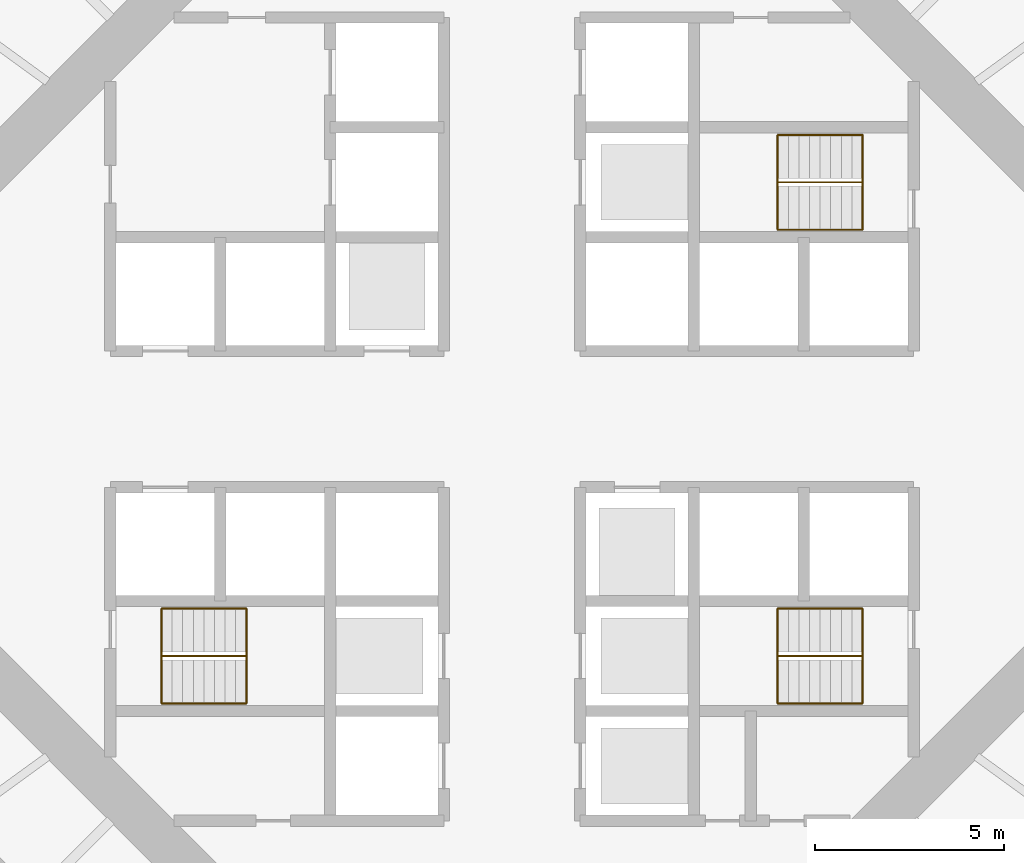
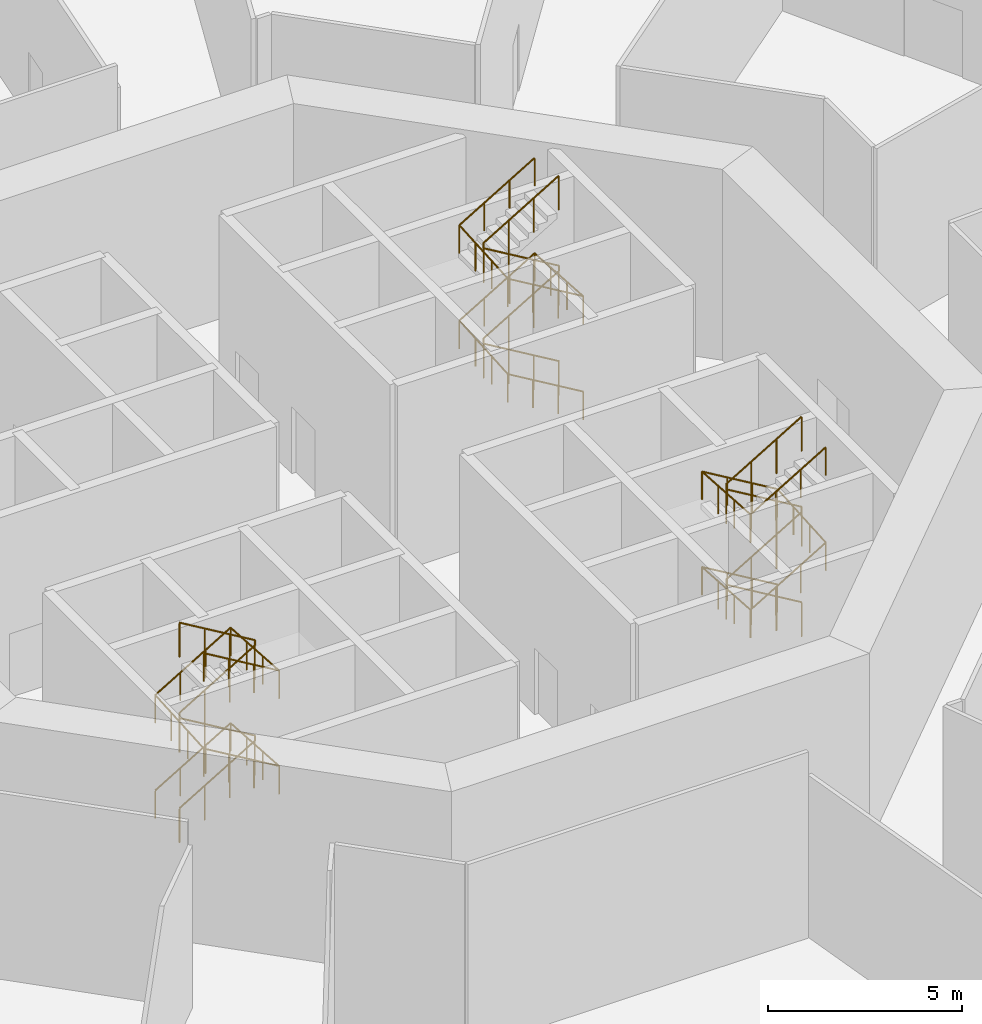
# One storey, part 13 of 14: 6 railings.
"""IFC4 building model written with IfcOpenShell, lengths in metres."""

from ifc_helpers import new_model, si_unit, direction, frame, origin, origin_2d, place, context, subcontext, project, spatial, circle, extrude, material, type_object, element, save


model = new_model("IFC4")

# Units and contexts
model_context = context("Model", 3, precision=1e-05, world=origin(), true_north=direction((0.0, 1.0)))
body_context = subcontext(model_context, "Body", "Model", "MODEL_VIEW")
ifc_project = project(units=[si_unit("LENGTHUNIT", "METRE"), si_unit("AREAUNIT", "SQUARE_METRE"), si_unit("VOLUMEUNIT", "CUBIC_METRE"), si_unit("PLANEANGLEUNIT", "RADIAN"), si_unit("MASSUNIT", "GRAM", prefix="KILO")], contexts=[model_context])

# Site, building, storey
site_placement = place(None, origin())
site = spatial("IfcSite", under=ifc_project, at=site_placement, CompositionType="ELEMENT")
building_placement = place(site_placement, origin())
building = spatial("IfcBuilding", under=site, at=building_placement, Name="Entoto Ring Tower", CompositionType="ELEMENT")
storey_placement = place(building_placement, frame((0.0, 0.0, 132.0)))
storey = spatial("IfcBuildingStorey", under=building, at=storey_placement, Name="L30", CompositionType="ELEMENT", Elevation=132.0)

# Railings
ifc_material_1 = material(Name="Steel S275", Category="steel")
railing_type_1 = type_object("IfcRailingType", Name="Stair guard 1100 mm steel", PredefinedType="GUARDRAIL", material=ifc_material_1)
railing_1_placement = place(storey_placement, frame((99.25, 86.25, 0.166748046875)))
element("IfcRailing", 1, at=railing_1_placement, inside=storey, type_object=railing_type_1, Name="Guard ST1", PredefinedType="GUARDRAIL", context=body_context, shape_type="SweptSolid", body=[
    extrude(circle(Radius=0.02392578125, at=origin_2d()), frame((0.0, 0.0, 1.076171875), z_axis=(-0.859305625298, 0.0, 0.511462454469), x_axis=(0.0, -1.0, 0.0)), (0.0, 0.0, 1.0), 2.606689453125),
    extrude(circle(Radius=0.02392578125, at=origin_2d()), frame((-2.239990234375, 0.0, 2.4091796875), z_axis=(0.0, 0.0, 1.0), x_axis=(1.0, 0.0, 0.0)), (0.0, 0.0, 1.0), 0.166748046875),
    extrude(circle(Radius=0.02392578125, at=origin_2d()), frame((-2.239990234375, 0.0, 2.576171875), z_axis=(0.859305625298, 0.0, 0.511462454469), x_axis=(0.0, 1.0, 0.0)), (0.0, 0.0, 1.0), 2.606689453125),
    extrude(circle(Radius=0.02392578125, at=origin_2d()), frame((0.0, 0.0, 3.9091796875), z_axis=(0.0, 0.0, 1.0), x_axis=(1.0, 0.0, 0.0)), (0.0, 0.0, 1.0), 0.166748046875),
    extrude(circle(Radius=0.02392578125, at=origin_2d()), frame((0.0, 0.0, 4.076171875), z_axis=(-0.859305625298, 0.0, 0.511462454469), x_axis=(0.0, -1.0, 0.0)), (0.0, 0.0, 1.0), 2.606689453125),
    extrude(circle(Radius=0.02392578125, at=origin_2d()), frame((-2.239990234375, 0.0, 5.4091796875), z_axis=(0.0, 0.0, 1.0), x_axis=(1.0, 0.0, 0.0)), (0.0, 0.0, 1.0), 0.166748046875),
    extrude(circle(Radius=0.02392578125, at=origin_2d()), frame((-2.239990234375, 0.0, 5.576171875), z_axis=(0.859305625298, 0.0, 0.511462454469), x_axis=(0.0, 1.0, 0.0)), (0.0, 0.0, 1.0), 2.606689453125),
    extrude(circle(Radius=0.02099609375, at=origin_2d()), origin(), (0.0, 0.0, 1.0), 1.052001953125),
    extrude(circle(Radius=0.02099609375, at=origin_2d()), frame((-0.74658203125, 0.0, 0.4443359375)), (0.0, 0.0, 1.0), 1.052001953125),
    extrude(circle(Radius=0.02099609375, at=origin_2d()), frame((-1.493408203125, 0.0, 0.888916015625)), (0.0, 0.0, 1.0), 1.052001953125),
    extrude(circle(Radius=0.02099609375, at=origin_2d()), frame((-2.239990234375, 0.0, 1.333251953125)), (0.0, 0.0, 1.0), 1.052001953125),
    extrude(circle(Radius=0.02099609375, at=origin_2d()), frame((-2.239990234375, 0.0, 1.5)), (0.0, 0.0, 1.0), 1.052001953125),
    extrude(circle(Radius=0.02099609375, at=origin_2d()), frame((-1.493408203125, 0.0, 1.9443359375)), (0.0, 0.0, 1.0), 1.052001953125),
    extrude(circle(Radius=0.02099609375, at=origin_2d()), frame((-0.74658203125, 0.0, 2.388916015625)), (0.0, 0.0, 1.0), 1.052001953125),
    extrude(circle(Radius=0.02099609375, at=origin_2d()), frame((0.0, 0.0, 2.833251953125)), (0.0, 0.0, 1.0), 1.052001953125),
    extrude(circle(Radius=0.02099609375, at=origin_2d()), frame((0.0, 0.0, 3.0)), (0.0, 0.0, 1.0), 1.052001953125),
    extrude(circle(Radius=0.02099609375, at=origin_2d()), frame((-0.74658203125, 0.0, 3.4443359375)), (0.0, 0.0, 1.0), 1.052001953125),
    extrude(circle(Radius=0.02099609375, at=origin_2d()), frame((-1.493408203125, 0.0, 3.888916015625)), (0.0, 0.0, 1.0), 1.052001953125),
    extrude(circle(Radius=0.02099609375, at=origin_2d()), frame((-2.239990234375, 0.0, 4.333251953125)), (0.0, 0.0, 1.0), 1.052001953125),
    extrude(circle(Radius=0.02099609375, at=origin_2d()), frame((-2.239990234375, 0.0, 4.5)), (0.0, 0.0, 1.0), 1.052001953125),
    extrude(circle(Radius=0.02099609375, at=origin_2d()), frame((-1.493408203125, 0.0, 4.9443359375)), (0.0, 0.0, 1.0), 1.052001953125),
    extrude(circle(Radius=0.02099609375, at=origin_2d()), frame((-0.74658203125, 0.0, 5.388916015625)), (0.0, 0.0, 1.0), 1.052001953125),
    extrude(circle(Radius=0.02099609375, at=origin_2d()), frame((0.0, 0.0, 5.833251953125)), (0.0, 0.0, 1.0), 1.052001953125),
])
railing_2_placement = place(storey_placement, frame((80.75, 73.75, 0.166748046875)))
element("IfcRailing", 2, at=railing_2_placement, inside=storey, type_object=railing_type_1, Name="Guard ST2", PredefinedType="GUARDRAIL", context=body_context, shape_type="SweptSolid", body=[
    extrude(circle(Radius=0.02392578125, at=origin_2d()), frame((0.0, 0.0, 1.076171875), z_axis=(0.859305625298, 0.0, 0.511462454469), x_axis=(0.0, 1.0, 0.0)), (0.0, 0.0, 1.0), 2.606689453125),
    extrude(circle(Radius=0.02392578125, at=origin_2d()), frame((2.239990234375, 0.0, 2.4091796875), z_axis=(0.0, 0.0, 1.0), x_axis=(1.0, 0.0, 0.0)), (0.0, 0.0, 1.0), 0.166748046875),
    extrude(circle(Radius=0.02392578125, at=origin_2d()), frame((2.239990234375, 0.0, 2.576171875), z_axis=(-0.859305625298, 0.0, 0.511462454469), x_axis=(0.0, -1.0, 0.0)), (0.0, 0.0, 1.0), 2.606689453125),
    extrude(circle(Radius=0.02392578125, at=origin_2d()), frame((0.0, 0.0, 3.9091796875), z_axis=(0.0, 0.0, 1.0), x_axis=(1.0, 0.0, 0.0)), (0.0, 0.0, 1.0), 0.166748046875),
    extrude(circle(Radius=0.02392578125, at=origin_2d()), frame((0.0, 0.0, 4.076171875), z_axis=(0.859305625298, 0.0, 0.511462454469), x_axis=(0.0, 1.0, 0.0)), (0.0, 0.0, 1.0), 2.606689453125),
    extrude(circle(Radius=0.02392578125, at=origin_2d()), frame((2.239990234375, 0.0, 5.4091796875), z_axis=(0.0, 0.0, 1.0), x_axis=(1.0, 0.0, 0.0)), (0.0, 0.0, 1.0), 0.166748046875),
    extrude(circle(Radius=0.02392578125, at=origin_2d()), frame((2.239990234375, 0.0, 5.576171875), z_axis=(-0.859305625298, 0.0, 0.511462454469), x_axis=(0.0, -1.0, 0.0)), (0.0, 0.0, 1.0), 2.606689453125),
    extrude(circle(Radius=0.02099609375, at=origin_2d()), origin(), (0.0, 0.0, 1.0), 1.052001953125),
    extrude(circle(Radius=0.02099609375, at=origin_2d()), frame((0.74658203125, 0.0, 0.4443359375)), (0.0, 0.0, 1.0), 1.052001953125),
    extrude(circle(Radius=0.02099609375, at=origin_2d()), frame((1.493408203125, 0.0, 0.888916015625)), (0.0, 0.0, 1.0), 1.052001953125),
    extrude(circle(Radius=0.02099609375, at=origin_2d()), frame((2.239990234375, 0.0, 1.333251953125)), (0.0, 0.0, 1.0), 1.052001953125),
    extrude(circle(Radius=0.02099609375, at=origin_2d()), frame((2.239990234375, 0.0, 1.5)), (0.0, 0.0, 1.0), 1.052001953125),
    extrude(circle(Radius=0.02099609375, at=origin_2d()), frame((1.493408203125, 0.0, 1.9443359375)), (0.0, 0.0, 1.0), 1.052001953125),
    extrude(circle(Radius=0.02099609375, at=origin_2d()), frame((0.74658203125, 0.0, 2.388916015625)), (0.0, 0.0, 1.0), 1.052001953125),
    extrude(circle(Radius=0.02099609375, at=origin_2d()), frame((0.0, 0.0, 2.833251953125)), (0.0, 0.0, 1.0), 1.052001953125),
    extrude(circle(Radius=0.02099609375, at=origin_2d()), frame((0.0, 0.0, 3.0)), (0.0, 0.0, 1.0), 1.052001953125),
    extrude(circle(Radius=0.02099609375, at=origin_2d()), frame((0.74658203125, 0.0, 3.4443359375)), (0.0, 0.0, 1.0), 1.052001953125),
    extrude(circle(Radius=0.02099609375, at=origin_2d()), frame((1.493408203125, 0.0, 3.888916015625)), (0.0, 0.0, 1.0), 1.052001953125),
    extrude(circle(Radius=0.02099609375, at=origin_2d()), frame((2.239990234375, 0.0, 4.333251953125)), (0.0, 0.0, 1.0), 1.052001953125),
    extrude(circle(Radius=0.02099609375, at=origin_2d()), frame((2.239990234375, 0.0, 4.5)), (0.0, 0.0, 1.0), 1.052001953125),
    extrude(circle(Radius=0.02099609375, at=origin_2d()), frame((1.493408203125, 0.0, 4.9443359375)), (0.0, 0.0, 1.0), 1.052001953125),
    extrude(circle(Radius=0.02099609375, at=origin_2d()), frame((0.74658203125, 0.0, 5.388916015625)), (0.0, 0.0, 1.0), 1.052001953125),
    extrude(circle(Radius=0.02099609375, at=origin_2d()), frame((0.0, 0.0, 5.833251953125)), (0.0, 0.0, 1.0), 1.052001953125),
])
railing_3_placement = place(storey_placement, frame((99.25, 73.75, 0.166748046875)))
element("IfcRailing", 3, at=railing_3_placement, inside=storey, type_object=railing_type_1, Name="Guard ST3", PredefinedType="GUARDRAIL", context=body_context, shape_type="SweptSolid", body=[
    extrude(circle(Radius=0.02392578125, at=origin_2d()), frame((0.0, 0.0, 1.076171875), z_axis=(-0.859305625298, 0.0, 0.511462454469), x_axis=(0.0, -1.0, 0.0)), (0.0, 0.0, 1.0), 2.606689453125),
    extrude(circle(Radius=0.02392578125, at=origin_2d()), frame((-2.239990234375, 0.0, 2.4091796875), z_axis=(0.0, 0.0, 1.0), x_axis=(1.0, 0.0, 0.0)), (0.0, 0.0, 1.0), 0.166748046875),
    extrude(circle(Radius=0.02392578125, at=origin_2d()), frame((-2.239990234375, 0.0, 2.576171875), z_axis=(0.859305625298, 0.0, 0.511462454469), x_axis=(0.0, 1.0, 0.0)), (0.0, 0.0, 1.0), 2.606689453125),
    extrude(circle(Radius=0.02392578125, at=origin_2d()), frame((0.0, 0.0, 3.9091796875), z_axis=(0.0, 0.0, 1.0), x_axis=(1.0, 0.0, 0.0)), (0.0, 0.0, 1.0), 0.166748046875),
    extrude(circle(Radius=0.02392578125, at=origin_2d()), frame((0.0, 0.0, 4.076171875), z_axis=(-0.859305625298, 0.0, 0.511462454469), x_axis=(0.0, -1.0, 0.0)), (0.0, 0.0, 1.0), 2.606689453125),
    extrude(circle(Radius=0.02392578125, at=origin_2d()), frame((-2.239990234375, 0.0, 5.4091796875), z_axis=(0.0, 0.0, 1.0), x_axis=(1.0, 0.0, 0.0)), (0.0, 0.0, 1.0), 0.166748046875),
    extrude(circle(Radius=0.02392578125, at=origin_2d()), frame((-2.239990234375, 0.0, 5.576171875), z_axis=(0.859305625298, 0.0, 0.511462454469), x_axis=(0.0, 1.0, 0.0)), (0.0, 0.0, 1.0), 2.606689453125),
    extrude(circle(Radius=0.02099609375, at=origin_2d()), origin(), (0.0, 0.0, 1.0), 1.052001953125),
    extrude(circle(Radius=0.02099609375, at=origin_2d()), frame((-0.74658203125, 0.0, 0.4443359375)), (0.0, 0.0, 1.0), 1.052001953125),
    extrude(circle(Radius=0.02099609375, at=origin_2d()), frame((-1.493408203125, 0.0, 0.888916015625)), (0.0, 0.0, 1.0), 1.052001953125),
    extrude(circle(Radius=0.02099609375, at=origin_2d()), frame((-2.239990234375, 0.0, 1.333251953125)), (0.0, 0.0, 1.0), 1.052001953125),
    extrude(circle(Radius=0.02099609375, at=origin_2d()), frame((-2.239990234375, 0.0, 1.5)), (0.0, 0.0, 1.0), 1.052001953125),
    extrude(circle(Radius=0.02099609375, at=origin_2d()), frame((-1.493408203125, 0.0, 1.9443359375)), (0.0, 0.0, 1.0), 1.052001953125),
    extrude(circle(Radius=0.02099609375, at=origin_2d()), frame((-0.74658203125, 0.0, 2.388916015625)), (0.0, 0.0, 1.0), 1.052001953125),
    extrude(circle(Radius=0.02099609375, at=origin_2d()), frame((0.0, 0.0, 2.833251953125)), (0.0, 0.0, 1.0), 1.052001953125),
    extrude(circle(Radius=0.02099609375, at=origin_2d()), frame((0.0, 0.0, 3.0)), (0.0, 0.0, 1.0), 1.052001953125),
    extrude(circle(Radius=0.02099609375, at=origin_2d()), frame((-0.74658203125, 0.0, 3.4443359375)), (0.0, 0.0, 1.0), 1.052001953125),
    extrude(circle(Radius=0.02099609375, at=origin_2d()), frame((-1.493408203125, 0.0, 3.888916015625)), (0.0, 0.0, 1.0), 1.052001953125),
    extrude(circle(Radius=0.02099609375, at=origin_2d()), frame((-2.239990234375, 0.0, 4.333251953125)), (0.0, 0.0, 1.0), 1.052001953125),
    extrude(circle(Radius=0.02099609375, at=origin_2d()), frame((-2.239990234375, 0.0, 4.5)), (0.0, 0.0, 1.0), 1.052001953125),
    extrude(circle(Radius=0.02099609375, at=origin_2d()), frame((-1.493408203125, 0.0, 4.9443359375)), (0.0, 0.0, 1.0), 1.052001953125),
    extrude(circle(Radius=0.02099609375, at=origin_2d()), frame((-0.74658203125, 0.0, 5.388916015625)), (0.0, 0.0, 1.0), 1.052001953125),
    extrude(circle(Radius=0.02099609375, at=origin_2d()), frame((0.0, 0.0, 5.833251953125)), (0.0, 0.0, 1.0), 1.052001953125),
])
ifc_material_2 = material(Name="Steel S275", Category="steel")
railing_type_2 = type_object("IfcRailingType", Name="Stair handrail 900 mm steel", PredefinedType="HANDRAIL", material=ifc_material_2)
railing_4_placement = place(storey_placement, frame((99.25, 85.0, 0.166748046875)))
element("IfcRailing", 4, at=railing_4_placement, inside=storey, type_object=railing_type_2, Name="Handrail ST1", PredefinedType="HANDRAIL", context=body_context, shape_type="SweptSolid", body=[
    extrude(circle(Radius=0.02392578125, at=origin_2d()), frame((0.0, 0.0, 0.8759765625), z_axis=(-0.859305625298, 0.0, 0.511462454469), x_axis=(0.0, -1.0, 0.0)), (0.0, 0.0, 1.0), 2.606689453125),
    extrude(circle(Radius=0.02392578125, at=origin_2d()), frame((-2.239990234375, 0.0, 2.208984375), z_axis=(0.0, 0.997783001586, 0.066551346688), x_axis=(-1.0, 0.0, 0.0)), (0.0, 0.0, 1.0), 2.505615234375),
    extrude(circle(Radius=0.02392578125, at=origin_2d()), frame((-2.239990234375, 2.5, 2.3759765625), z_axis=(0.859305625298, 0.0, 0.511462454469), x_axis=(0.0, 1.0, 0.0)), (0.0, 0.0, 1.0), 2.606689453125),
    extrude(circle(Radius=0.02392578125, at=origin_2d()), frame((0.0, 2.5, 3.708984375), z_axis=(0.0, -0.997783001586, 0.066551346688), x_axis=(1.0, 0.0, 0.0)), (0.0, 0.0, 1.0), 2.505615234375),
    extrude(circle(Radius=0.02392578125, at=origin_2d()), frame((0.0, 0.0, 3.8759765625), z_axis=(-0.859305625298, 0.0, 0.511462454469), x_axis=(0.0, -1.0, 0.0)), (0.0, 0.0, 1.0), 2.606689453125),
    extrude(circle(Radius=0.02392578125, at=origin_2d()), frame((-2.239990234375, 0.0, 5.208984375), z_axis=(0.0, 0.997783001586, 0.066551346688), x_axis=(-1.0, 0.0, 0.0)), (0.0, 0.0, 1.0), 2.505615234375),
    extrude(circle(Radius=0.02392578125, at=origin_2d()), frame((-2.239990234375, 2.5, 5.3759765625), z_axis=(0.859305625298, 0.0, 0.511462454469), x_axis=(0.0, 1.0, 0.0)), (0.0, 0.0, 1.0), 2.606689453125),
    extrude(circle(Radius=0.02099609375, at=origin_2d()), origin(), (0.0, 0.0, 1.0), 0.851806640625),
    extrude(circle(Radius=0.02099609375, at=origin_2d()), frame((-0.74658203125, 0.0, 0.4443359375)), (0.0, 0.0, 1.0), 0.851806640625),
    extrude(circle(Radius=0.02099609375, at=origin_2d()), frame((-1.493408203125, 0.0, 0.888916015625)), (0.0, 0.0, 1.0), 0.851806640625),
    extrude(circle(Radius=0.02099609375, at=origin_2d()), frame((-2.239990234375, 0.0, 1.333251953125)), (0.0, 0.0, 1.0), 0.851806640625),
    extrude(circle(Radius=0.02099609375, at=origin_2d()), frame((-2.239990234375, 0.833251953125, 1.388916015625)), (0.0, 0.0, 1.0), 0.851806640625),
    extrude(circle(Radius=0.02099609375, at=origin_2d()), frame((-2.239990234375, 1.666748046875, 1.4443359375)), (0.0, 0.0, 1.0), 0.851806640625),
    extrude(circle(Radius=0.02099609375, at=origin_2d()), frame((-2.239990234375, 2.5, 1.5)), (0.0, 0.0, 1.0), 0.851806640625),
    extrude(circle(Radius=0.02099609375, at=origin_2d()), frame((-1.493408203125, 2.5, 1.9443359375)), (0.0, 0.0, 1.0), 0.851806640625),
    extrude(circle(Radius=0.02099609375, at=origin_2d()), frame((-0.74658203125, 2.5, 2.388916015625)), (0.0, 0.0, 1.0), 0.851806640625),
    extrude(circle(Radius=0.02099609375, at=origin_2d()), frame((0.0, 2.5, 2.833251953125)), (0.0, 0.0, 1.0), 0.851806640625),
    extrude(circle(Radius=0.02099609375, at=origin_2d()), frame((0.0, 1.666748046875, 2.888916015625)), (0.0, 0.0, 1.0), 0.851806640625),
    extrude(circle(Radius=0.02099609375, at=origin_2d()), frame((0.0, 0.833251953125, 2.9443359375)), (0.0, 0.0, 1.0), 0.851806640625),
    extrude(circle(Radius=0.02099609375, at=origin_2d()), frame((0.0, 0.0, 3.0)), (0.0, 0.0, 1.0), 0.851806640625),
    extrude(circle(Radius=0.02099609375, at=origin_2d()), frame((-0.74658203125, 0.0, 3.4443359375)), (0.0, 0.0, 1.0), 0.851806640625),
    extrude(circle(Radius=0.02099609375, at=origin_2d()), frame((-1.493408203125, 0.0, 3.888916015625)), (0.0, 0.0, 1.0), 0.851806640625),
    extrude(circle(Radius=0.02099609375, at=origin_2d()), frame((-2.239990234375, 0.0, 4.333251953125)), (0.0, 0.0, 1.0), 0.851806640625),
    extrude(circle(Radius=0.02099609375, at=origin_2d()), frame((-2.239990234375, 0.833251953125, 4.388916015625)), (0.0, 0.0, 1.0), 0.851806640625),
    extrude(circle(Radius=0.02099609375, at=origin_2d()), frame((-2.239990234375, 1.666748046875, 4.4443359375)), (0.0, 0.0, 1.0), 0.851806640625),
    extrude(circle(Radius=0.02099609375, at=origin_2d()), frame((-2.239990234375, 2.5, 4.5)), (0.0, 0.0, 1.0), 0.851806640625),
    extrude(circle(Radius=0.02099609375, at=origin_2d()), frame((-1.493408203125, 2.5, 4.9443359375)), (0.0, 0.0, 1.0), 0.851806640625),
    extrude(circle(Radius=0.02099609375, at=origin_2d()), frame((-0.74658203125, 2.5, 5.388916015625)), (0.0, 0.0, 1.0), 0.851806640625),
    extrude(circle(Radius=0.02099609375, at=origin_2d()), frame((0.0, 2.5, 5.833251953125)), (0.0, 0.0, 1.0), 0.851806640625),
])
railing_5_placement = place(storey_placement, frame((80.75, 75.0, 0.166748046875)))
element("IfcRailing", 5, at=railing_5_placement, inside=storey, type_object=railing_type_2, Name="Handrail ST2", PredefinedType="HANDRAIL", context=body_context, shape_type="SweptSolid", body=[
    extrude(circle(Radius=0.02392578125, at=origin_2d()), frame((0.0, 0.0, 0.8759765625), z_axis=(0.859305625298, 0.0, 0.511462454469), x_axis=(0.0, 1.0, 0.0)), (0.0, 0.0, 1.0), 2.606689453125),
    extrude(circle(Radius=0.02392578125, at=origin_2d()), frame((2.239990234375, 0.0, 2.208984375), z_axis=(0.0, -0.997783001586, 0.066551346688), x_axis=(1.0, 0.0, 0.0)), (0.0, 0.0, 1.0), 2.505615234375),
    extrude(circle(Radius=0.02392578125, at=origin_2d()), frame((2.239990234375, -2.5, 2.3759765625), z_axis=(-0.859305625298, 0.0, 0.511462454469), x_axis=(0.0, -1.0, 0.0)), (0.0, 0.0, 1.0), 2.606689453125),
    extrude(circle(Radius=0.02392578125, at=origin_2d()), frame((0.0, -2.5, 3.708984375), z_axis=(0.0, 0.997783001586, 0.066551346688), x_axis=(-1.0, 0.0, 0.0)), (0.0, 0.0, 1.0), 2.505615234375),
    extrude(circle(Radius=0.02392578125, at=origin_2d()), frame((0.0, 0.0, 3.8759765625), z_axis=(0.859305625298, 0.0, 0.511462454469), x_axis=(0.0, 1.0, 0.0)), (0.0, 0.0, 1.0), 2.606689453125),
    extrude(circle(Radius=0.02392578125, at=origin_2d()), frame((2.239990234375, 0.0, 5.208984375), z_axis=(0.0, -0.997783001586, 0.066551346688), x_axis=(1.0, 0.0, 0.0)), (0.0, 0.0, 1.0), 2.505615234375),
    extrude(circle(Radius=0.02392578125, at=origin_2d()), frame((2.239990234375, -2.5, 5.3759765625), z_axis=(-0.859305625298, 0.0, 0.511462454469), x_axis=(0.0, -1.0, 0.0)), (0.0, 0.0, 1.0), 2.606689453125),
    extrude(circle(Radius=0.02099609375, at=origin_2d()), origin(), (0.0, 0.0, 1.0), 0.851806640625),
    extrude(circle(Radius=0.02099609375, at=origin_2d()), frame((0.74658203125, 0.0, 0.4443359375)), (0.0, 0.0, 1.0), 0.851806640625),
    extrude(circle(Radius=0.02099609375, at=origin_2d()), frame((1.493408203125, 0.0, 0.888916015625)), (0.0, 0.0, 1.0), 0.851806640625),
    extrude(circle(Radius=0.02099609375, at=origin_2d()), frame((2.239990234375, 0.0, 1.333251953125)), (0.0, 0.0, 1.0), 0.851806640625),
    extrude(circle(Radius=0.02099609375, at=origin_2d()), frame((2.239990234375, -0.833251953125, 1.388916015625)), (0.0, 0.0, 1.0), 0.851806640625),
    extrude(circle(Radius=0.02099609375, at=origin_2d()), frame((2.239990234375, -1.666748046875, 1.4443359375)), (0.0, 0.0, 1.0), 0.851806640625),
    extrude(circle(Radius=0.02099609375, at=origin_2d()), frame((2.239990234375, -2.5, 1.5)), (0.0, 0.0, 1.0), 0.851806640625),
    extrude(circle(Radius=0.02099609375, at=origin_2d()), frame((1.493408203125, -2.5, 1.9443359375)), (0.0, 0.0, 1.0), 0.851806640625),
    extrude(circle(Radius=0.02099609375, at=origin_2d()), frame((0.74658203125, -2.5, 2.388916015625)), (0.0, 0.0, 1.0), 0.851806640625),
    extrude(circle(Radius=0.02099609375, at=origin_2d()), frame((0.0, -2.5, 2.833251953125)), (0.0, 0.0, 1.0), 0.851806640625),
    extrude(circle(Radius=0.02099609375, at=origin_2d()), frame((0.0, -1.666748046875, 2.888916015625)), (0.0, 0.0, 1.0), 0.851806640625),
    extrude(circle(Radius=0.02099609375, at=origin_2d()), frame((0.0, -0.833251953125, 2.9443359375)), (0.0, 0.0, 1.0), 0.851806640625),
    extrude(circle(Radius=0.02099609375, at=origin_2d()), frame((0.0, 0.0, 3.0)), (0.0, 0.0, 1.0), 0.851806640625),
    extrude(circle(Radius=0.02099609375, at=origin_2d()), frame((0.74658203125, 0.0, 3.4443359375)), (0.0, 0.0, 1.0), 0.851806640625),
    extrude(circle(Radius=0.02099609375, at=origin_2d()), frame((1.493408203125, 0.0, 3.888916015625)), (0.0, 0.0, 1.0), 0.851806640625),
    extrude(circle(Radius=0.02099609375, at=origin_2d()), frame((2.239990234375, 0.0, 4.333251953125)), (0.0, 0.0, 1.0), 0.851806640625),
    extrude(circle(Radius=0.02099609375, at=origin_2d()), frame((2.239990234375, -0.833251953125, 4.388916015625)), (0.0, 0.0, 1.0), 0.851806640625),
    extrude(circle(Radius=0.02099609375, at=origin_2d()), frame((2.239990234375, -1.666748046875, 4.4443359375)), (0.0, 0.0, 1.0), 0.851806640625),
    extrude(circle(Radius=0.02099609375, at=origin_2d()), frame((2.239990234375, -2.5, 4.5)), (0.0, 0.0, 1.0), 0.851806640625),
    extrude(circle(Radius=0.02099609375, at=origin_2d()), frame((1.493408203125, -2.5, 4.9443359375)), (0.0, 0.0, 1.0), 0.851806640625),
    extrude(circle(Radius=0.02099609375, at=origin_2d()), frame((0.74658203125, -2.5, 5.388916015625)), (0.0, 0.0, 1.0), 0.851806640625),
    extrude(circle(Radius=0.02099609375, at=origin_2d()), frame((0.0, -2.5, 5.833251953125)), (0.0, 0.0, 1.0), 0.851806640625),
])
railing_6_placement = place(storey_placement, frame((99.25, 75.0, 0.166748046875)))
element("IfcRailing", 6, at=railing_6_placement, inside=storey, type_object=railing_type_2, Name="Handrail ST3", PredefinedType="HANDRAIL", context=body_context, shape_type="SweptSolid", body=[
    extrude(circle(Radius=0.02392578125, at=origin_2d()), frame((0.0, 0.0, 0.8759765625), z_axis=(-0.859305625298, 0.0, 0.511462454469), x_axis=(0.0, -1.0, 0.0)), (0.0, 0.0, 1.0), 2.606689453125),
    extrude(circle(Radius=0.02392578125, at=origin_2d()), frame((-2.239990234375, 0.0, 2.208984375), z_axis=(0.0, -0.997783001586, 0.066551346688), x_axis=(1.0, 0.0, 0.0)), (0.0, 0.0, 1.0), 2.505615234375),
    extrude(circle(Radius=0.02392578125, at=origin_2d()), frame((-2.239990234375, -2.5, 2.3759765625), z_axis=(0.859305625298, 0.0, 0.511462454469), x_axis=(0.0, 1.0, 0.0)), (0.0, 0.0, 1.0), 2.606689453125),
    extrude(circle(Radius=0.02392578125, at=origin_2d()), frame((0.0, -2.5, 3.708984375), z_axis=(0.0, 0.997783001586, 0.066551346688), x_axis=(-1.0, 0.0, 0.0)), (0.0, 0.0, 1.0), 2.505615234375),
    extrude(circle(Radius=0.02392578125, at=origin_2d()), frame((0.0, 0.0, 3.8759765625), z_axis=(-0.859305625298, 0.0, 0.511462454469), x_axis=(0.0, -1.0, 0.0)), (0.0, 0.0, 1.0), 2.606689453125),
    extrude(circle(Radius=0.02392578125, at=origin_2d()), frame((-2.239990234375, 0.0, 5.208984375), z_axis=(0.0, -0.997783001586, 0.066551346688), x_axis=(1.0, 0.0, 0.0)), (0.0, 0.0, 1.0), 2.505615234375),
    extrude(circle(Radius=0.02392578125, at=origin_2d()), frame((-2.239990234375, -2.5, 5.3759765625), z_axis=(0.859305625298, 0.0, 0.511462454469), x_axis=(0.0, 1.0, 0.0)), (0.0, 0.0, 1.0), 2.606689453125),
    extrude(circle(Radius=0.02099609375, at=origin_2d()), origin(), (0.0, 0.0, 1.0), 0.851806640625),
    extrude(circle(Radius=0.02099609375, at=origin_2d()), frame((-0.74658203125, 0.0, 0.4443359375)), (0.0, 0.0, 1.0), 0.851806640625),
    extrude(circle(Radius=0.02099609375, at=origin_2d()), frame((-1.493408203125, 0.0, 0.888916015625)), (0.0, 0.0, 1.0), 0.851806640625),
    extrude(circle(Radius=0.02099609375, at=origin_2d()), frame((-2.239990234375, 0.0, 1.333251953125)), (0.0, 0.0, 1.0), 0.851806640625),
    extrude(circle(Radius=0.02099609375, at=origin_2d()), frame((-2.239990234375, -0.833251953125, 1.388916015625)), (0.0, 0.0, 1.0), 0.851806640625),
    extrude(circle(Radius=0.02099609375, at=origin_2d()), frame((-2.239990234375, -1.666748046875, 1.4443359375)), (0.0, 0.0, 1.0), 0.851806640625),
    extrude(circle(Radius=0.02099609375, at=origin_2d()), frame((-2.239990234375, -2.5, 1.5)), (0.0, 0.0, 1.0), 0.851806640625),
    extrude(circle(Radius=0.02099609375, at=origin_2d()), frame((-1.493408203125, -2.5, 1.9443359375)), (0.0, 0.0, 1.0), 0.851806640625),
    extrude(circle(Radius=0.02099609375, at=origin_2d()), frame((-0.74658203125, -2.5, 2.388916015625)), (0.0, 0.0, 1.0), 0.851806640625),
    extrude(circle(Radius=0.02099609375, at=origin_2d()), frame((0.0, -2.5, 2.833251953125)), (0.0, 0.0, 1.0), 0.851806640625),
    extrude(circle(Radius=0.02099609375, at=origin_2d()), frame((0.0, -1.666748046875, 2.888916015625)), (0.0, 0.0, 1.0), 0.851806640625),
    extrude(circle(Radius=0.02099609375, at=origin_2d()), frame((0.0, -0.833251953125, 2.9443359375)), (0.0, 0.0, 1.0), 0.851806640625),
    extrude(circle(Radius=0.02099609375, at=origin_2d()), frame((0.0, 0.0, 3.0)), (0.0, 0.0, 1.0), 0.851806640625),
    extrude(circle(Radius=0.02099609375, at=origin_2d()), frame((-0.74658203125, 0.0, 3.4443359375)), (0.0, 0.0, 1.0), 0.851806640625),
    extrude(circle(Radius=0.02099609375, at=origin_2d()), frame((-1.493408203125, 0.0, 3.888916015625)), (0.0, 0.0, 1.0), 0.851806640625),
    extrude(circle(Radius=0.02099609375, at=origin_2d()), frame((-2.239990234375, 0.0, 4.333251953125)), (0.0, 0.0, 1.0), 0.851806640625),
    extrude(circle(Radius=0.02099609375, at=origin_2d()), frame((-2.239990234375, -0.833251953125, 4.388916015625)), (0.0, 0.0, 1.0), 0.851806640625),
    extrude(circle(Radius=0.02099609375, at=origin_2d()), frame((-2.239990234375, -1.666748046875, 4.4443359375)), (0.0, 0.0, 1.0), 0.851806640625),
    extrude(circle(Radius=0.02099609375, at=origin_2d()), frame((-2.239990234375, -2.5, 4.5)), (0.0, 0.0, 1.0), 0.851806640625),
    extrude(circle(Radius=0.02099609375, at=origin_2d()), frame((-1.493408203125, -2.5, 4.9443359375)), (0.0, 0.0, 1.0), 0.851806640625),
    extrude(circle(Radius=0.02099609375, at=origin_2d()), frame((-0.74658203125, -2.5, 5.388916015625)), (0.0, 0.0, 1.0), 0.851806640625),
    extrude(circle(Radius=0.02099609375, at=origin_2d()), frame((0.0, -2.5, 5.833251953125)), (0.0, 0.0, 1.0), 0.851806640625),
])

save(model, "model.ifc")
